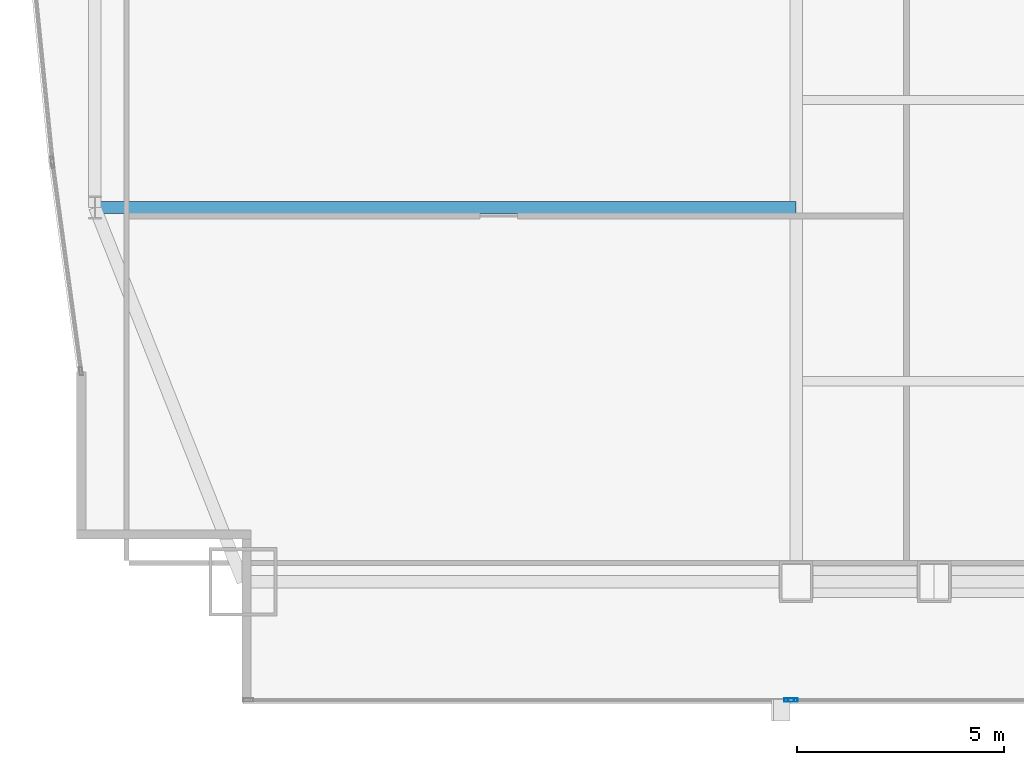
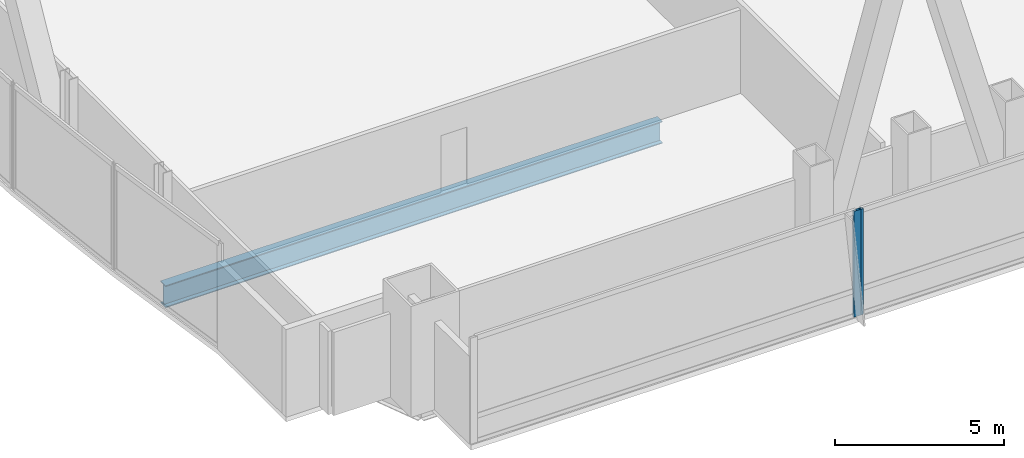
# One storey, part 7 of 35: 2 members, 1 beam, 2 elements without a shape of their own.
"""IFC4 building model written with IfcOpenShell, lengths in metres."""

import ifcopenshell
import ifcopenshell.guid

model = None  # the IFC model being written
_history = None  # IfcOwnerHistory: only IFC2X3 demands one
_inside = {}  # id of a spatial element -> (the spatial element, [elements in it])
_under = {}  # id of a project, library or spatial element -> (it, [spatial elements below it])
_declared = {}  # id of a project -> (the project, [libraries it declares])
_typed = {}  # id of a type object -> (the type object, [elements of that type])
_made_of = {}  # id of a material, layer set ... -> (it, [elements and type objects made of it])


def new_model(schema):
    """Start an empty IFC model of exactly this schema.

    Asked for "IFC4X3", IfcOpenShell would pick the latest addendum, in which some entities
    have other attributes; the version numbers below select the first issue.
    IFC2X3 requires an IfcOwnerHistory on every rooted entity: one is made here for all.
    """
    global model, _history
    if schema == "IFC4X3":
        model = ifcopenshell.file(schema_version=(4, 3, 0, 0))
    else:
        model = ifcopenshell.file(schema=schema)
    _inside.clear()
    _under.clear()
    _declared.clear()
    _typed.clear()
    _made_of.clear()
    _history = None
    if model.schema == "IFC2X3":
        org = make("IfcOrganization", Name="unknown")
        user = make(
            "IfcPersonAndOrganization",
            ThePerson=make("IfcPerson", FamilyName="unknown"),
            TheOrganization=org,
        )
        app = make(
            "IfcApplication",
            ApplicationDeveloper=org,
            Version="unknown",
            ApplicationFullName="unknown",
            ApplicationIdentifier="unknown",
        )
        _history = make(
            "IfcOwnerHistory",
            OwningUser=user,
            OwningApplication=app,
            ChangeAction="ADDED",
            CreationDate=0,
        )
    return model


def make(cls, **values):
    """One entity of the class cls with the attributes given. An attribute that is None is left unset."""
    return model.create_entity(
        cls, **{name: value for name, value in values.items() if value is not None}
    )


def rooted(cls, **values):
    """An entity with a GlobalId (a new one), such as an element, a storey or a relation."""
    return make(cls, GlobalId=ifcopenshell.guid.new(), OwnerHistory=_history, **values)


def si_unit(unit_type, name, prefix=None):
    """IfcSIUnit, for example si_unit("LENGTHUNIT", "METRE", prefix="MILLI")."""
    return make("IfcSIUnit", UnitType=unit_type, Prefix=prefix, Name=name)


def assignment(units):
    """IfcUnitAssignment: the units of a project."""
    return None if units is None else make("IfcUnitAssignment", Units=units)


def point(xyz):
    """IfcCartesianPoint."""
    return None if xyz is None else make("IfcCartesianPoint", Coordinates=xyz)


def direction(xyz):
    """IfcDirection."""
    return None if xyz is None else make("IfcDirection", DirectionRatios=xyz)


def frame(location, z_axis=None, x_axis=None):
    """IfcAxis2Placement3D, a coordinate frame: its origin and axes. An axis left out is left unset."""
    return make(
        "IfcAxis2Placement3D",
        Location=point(location),
        Axis=direction(z_axis),
        RefDirection=direction(x_axis),
    )


def frame_2d(location, x_axis=None):
    """IfcAxis2Placement2D, a coordinate frame in the plane: its origin and x axis."""
    return make(
        "IfcAxis2Placement2D", Location=point(location), RefDirection=direction(x_axis)
    )


def origin():
    """The frame at (0, 0, 0) with its axes left unset."""
    return frame((0.0, 0.0, 0.0))


def origin_2d():
    """The frame at (0, 0) in the plane with its x axis left unset."""
    return frame_2d((0.0, 0.0))


def place(relative_to, where):
    """IfcLocalPlacement: puts the frame where relative to a parent placement (None: the world)."""
    return make(
        "IfcLocalPlacement", PlacementRelTo=relative_to, RelativePlacement=where
    )


def context(
    kind, dimensions, precision=None, world=None, true_north=None, identifier=None
):
    """IfcGeometricRepresentationContext, for example the 3D "Model" context."""
    return make(
        "IfcGeometricRepresentationContext",
        ContextIdentifier=identifier,
        ContextType=kind,
        CoordinateSpaceDimension=dimensions,
        Precision=precision,
        WorldCoordinateSystem=world,
        TrueNorth=true_north,
    )


def subcontext(parent, identifier, kind, view, scale=None):
    """IfcGeometricRepresentationSubContext, for example "Body" below "Model"."""
    return make(
        "IfcGeometricRepresentationSubContext",
        ContextIdentifier=identifier,
        ContextType=kind,
        ParentContext=parent,
        TargetScale=scale,
        TargetView=view,
    )


def project(units=None, contexts=None):
    """IfcProject with its units and contexts."""
    return rooted(
        "IfcProject",
        Name="project",
        RepresentationContexts=contexts,
        UnitsInContext=assignment(units),
    )


def spatial(cls, under=None, at=None, **own):
    """A site, building, storey or space (cls), placed at a placement, below another one or the project."""
    s = rooted(cls, ObjectPlacement=at, **own)
    if under is not None:
        _under.setdefault(under.id(), (under, []))[1].append(s)
    return s


def profile(cls, at=None, kind="AREA", **sizes):
    """A parametric profile (cls). Its sizes go by their IFC names, for example OverallWidth=200.0."""
    return make(cls, ProfileType=kind, Position=at, **sizes)


def hollow_rectangle(**sizes):
    """IfcRectangleHollowProfileDef."""
    return profile("IfcRectangleHollowProfileDef", **sizes)


def i_section(**sizes):
    """IfcIShapeProfileDef."""
    return profile("IfcIShapeProfileDef", **sizes)


def extrude(swept, where, along, depth):
    """IfcExtrudedAreaSolid: the profile swept, set in the frame where, extruded along a direction by depth."""
    return make(
        "IfcExtrudedAreaSolid",
        SweptArea=swept,
        Position=where,
        ExtrudedDirection=direction(along),
        Depth=depth,
    )


def shape(context_of_items, identifier, shape_type, items):
    """IfcShapeRepresentation: the items that make up one representation, for example the "Body"."""
    return make(
        "IfcShapeRepresentation",
        ContextOfItems=context_of_items,
        RepresentationIdentifier=identifier,
        RepresentationType=shape_type,
        Items=items,
    )


def material(Name=None, Category=None):
    """IfcMaterial."""
    return make("IfcMaterial", Name=Name, Category=Category)


def material_profile(
    of_material, cross_section, Name=None, Category=None, Priority=None
):
    """IfcMaterialProfile: a cross section and its material."""
    return make(
        "IfcMaterialProfile",
        Name=Name,
        Material=of_material,
        Profile=cross_section,
        Priority=Priority,
        Category=Category,
    )


def profile_set(profiles, Name=None, composite=None):
    """IfcMaterialProfileSet."""
    return make(
        "IfcMaterialProfileSet",
        Name=Name,
        MaterialProfiles=profiles,
        CompositeProfile=composite,
    )


def made_of(thing, what):
    """Note that an element or type object is made of a material, layer set ...; save() writes the relation."""
    if what is not None:
        _made_of.setdefault(what.id(), (what, []))[1].append(thing)
    return thing


def type_object(cls, material=None, **own):
    """A type object (cls), such as IfcWallType, which elements share."""
    return made_of(rooted(cls, **own), material)


def element(
    cls,
    number,
    at=None,
    inside=None,
    cuts=None,
    type_object=None,
    material=None,
    context=None,
    identifier="Body",
    shape_type=None,
    held_by="IfcProductDefinitionShape",
    body=None,
    shapes=None,
    **own,
):
    """One element of the class cls, such as IfcWall. Its Tag is "e" and its number.

    at: its placement. inside: the storey or other place that contains it. cuts: it is an
    opening in that element (IfcRelVoidsElement). A single representation is given by context,
    identifier, shape_type and body (its items); several are given by shapes. held_by: the class
    of the entity that holds the representations. save() writes the other relations.
    """
    e = rooted(cls, Tag="e%d" % number, ObjectPlacement=at, **own)
    if body is not None:
        shapes = [shape(context, identifier, shape_type, body)]
    if shapes is not None:
        e.Representation = make(held_by, Representations=shapes)
    if inside is not None:
        _inside.setdefault(inside.id(), (inside, []))[1].append(e)
    if cuts is not None:
        rooted(
            "IfcRelVoidsElement", RelatingBuildingElement=cuts, RelatedOpeningElement=e
        )
    if type_object is not None:
        _typed.setdefault(type_object.id(), (type_object, []))[1].append(e)
    return made_of(e, material)


def aggregate(whole, parts):
    """IfcRelAggregates: a whole, such as a stair, and the parts it consists of."""
    return rooted("IfcRelAggregates", RelatingObject=whole, RelatedObjects=parts)


def save(model, path):
    """Write the relations noted so far, then the file.

    IfcRelAggregates (storeys below a building ...), IfcRelContainedInSpatialStructure (elements
    in a storey), IfcRelDefinesByType, IfcRelAssociatesMaterial and IfcRelDeclares: one each for
    every whole, place, type object, material and project.
    """
    for whole, parts in _under.values():
        aggregate(whole, parts)
    for where, things in _inside.values():
        rooted(
            "IfcRelContainedInSpatialStructure",
            RelatedElements=things,
            RelatingStructure=where,
        )
    for kind, things in _typed.values():
        rooted("IfcRelDefinesByType", RelatedObjects=things, RelatingType=kind)
    for what, things in _made_of.values():
        rooted("IfcRelAssociatesMaterial", RelatedObjects=things, RelatingMaterial=what)
    for by, libraries in _declared.values():
        rooted("IfcRelDeclares", RelatingContext=by, RelatedDefinitions=libraries)
    model.write(path)


model = new_model("IFC4")

# Units and contexts
model_context = context("Model", 3, precision=1e-05, world=origin(), true_north=direction((0.0, 1.0)))
body_context = subcontext(model_context, "Body", "Model", "MODEL_VIEW")
ifc_project = project(units=[si_unit("LENGTHUNIT", "METRE"), si_unit("AREAUNIT", "SQUARE_METRE"), si_unit("VOLUMEUNIT", "CUBIC_METRE"), si_unit("PLANEANGLEUNIT", "RADIAN"), si_unit("MASSUNIT", "GRAM", prefix="KILO")], contexts=[model_context])

# Site, building, storey
site_placement = place(None, origin())
site = spatial("IfcSite", under=ifc_project, at=site_placement, CompositionType="ELEMENT")
building_placement = place(site_placement, origin())
building = spatial("IfcBuilding", under=site, at=building_placement, Name="Khoronbel Lancet Exchange", CompositionType="ELEMENT")
storey_placement = place(building_placement, frame((0.0, 0.0, 37.800048828125)))
storey = spatial("IfcBuildingStorey", under=building, at=storey_placement, Name="L08", CompositionType="ELEMENT", Elevation=37.800048828125)

# Beam
ifc_material_1 = material(Name="Steel S355", Category="steel")
ifc_material_profile_1 = material_profile(ifc_material_1, i_section(OverallWidth=0.300048828125, OverallDepth=0.800048828125, WebThickness=0.017578125, FlangeThickness=0.032958984375, at=origin_2d()), Name="HEB 800")
ifc_profile_set_1 = profile_set([ifc_material_profile_1], Name="Steel S355")
beam_type = type_object("IfcBeamType", Name="BM-BG2", PredefinedType="BEAM", material=ifc_profile_set_1)
beam_placement = place(storey_placement, frame((1.27001953125, 19.199951171875, -0.580078125), z_axis=(1.0, 0.0, 0.0), x_axis=(0.0, 1.0, 0.0)))
element("IfcBeam", 1, at=beam_placement, inside=storey, type_object=beam_type, Name="Level L08 west lens tie girder LG1W", PredefinedType="BEAM", context=body_context, shape_type="SweptSolid", body=[
    extrude(i_section(OverallWidth=0.300048828125, OverallDepth=0.800048828125, WebThickness=0.017578125, FlangeThickness=0.032958984375, at=origin_2d()), origin(), (0.0, 0.0, 1.0), 16.955078125),
])

# Curtain wall, member
ifc_material_2 = material(Name="Low-E Solar Control Insulating Glass", Category="glass")
curtain_wall_type = type_object("IfcCurtainWallType", Name="CW-1", PredefinedType="NOTDEFINED", material=ifc_material_2)
curtain_wall_1_placement = place(storey_placement, origin())
curtain_wall_1 = element("IfcCurtainWall", 2, at=curtain_wall_1_placement, inside=storey, type_object=curtain_wall_type, Name="Unitised curtain wall CW-L08-SWV", PredefinedType="NOTDEFINED")
ifc_material_3 = material(Name="Bronze-Anodised Aluminium 6063-T6", Category="aluminium")
ifc_material_profile_2 = material_profile(ifc_material_3, hollow_rectangle(XDim=0.0849609375, YDim=0.239990234375, WallThickness=0.006103515625, at=origin_2d()), Name="ALU MULLION 85x240")
ifc_profile_set_2 = profile_set([ifc_material_profile_2], Name="Bronze-Anodised Aluminium 6063-T6")
member_type = type_object("IfcMemberType", Name="MEM-CWM1", PredefinedType="MULLION", material=ifc_profile_set_2)
member_1_placement = place(storey_placement, frame((18.0576171875, 7.2900390625, 0.0), z_axis=(0.0, 0.0, 1.0), x_axis=(0.0, 1.0, 0.0)))
member_1 = element("IfcMember", 3, at=member_1_placement, type_object=member_type, Name="CW1 mullion 2", PredefinedType="MULLION", context=body_context, shape_type="SweptSolid", body=[
    extrude(hollow_rectangle(XDim=0.0849609375, YDim=0.239990234375, WallThickness=0.006103515625, at=origin_2d()), origin(), (0.0, 0.0, 1.0), 3.820068359375),
])
aggregate(curtain_wall_1, [member_1])

curtain_wall_2_placement = place(storey_placement, origin())
curtain_wall_2 = element("IfcCurtainWall", 4, at=curtain_wall_2_placement, inside=storey, type_object=curtain_wall_type, Name="Unitised curtain wall CW-L08-SWB", PredefinedType="NOTDEFINED")
member_2_placement = place(storey_placement, frame((18.142578125, 7.2900390625, 0.0), z_axis=(0.0, 0.0, 1.0), x_axis=(0.0, 1.0, 0.0)))
member_2 = element("IfcMember", 5, at=member_2_placement, type_object=member_type, Name="CW1 mullion 1", PredefinedType="MULLION", context=body_context, shape_type="SweptSolid", body=[
    extrude(hollow_rectangle(XDim=0.0849609375, YDim=0.239990234375, WallThickness=0.006103515625, at=origin_2d()), origin(), (0.0, 0.0, 1.0), 3.820068359375),
])
aggregate(curtain_wall_2, [member_2])

save(model, "model.ifc")
